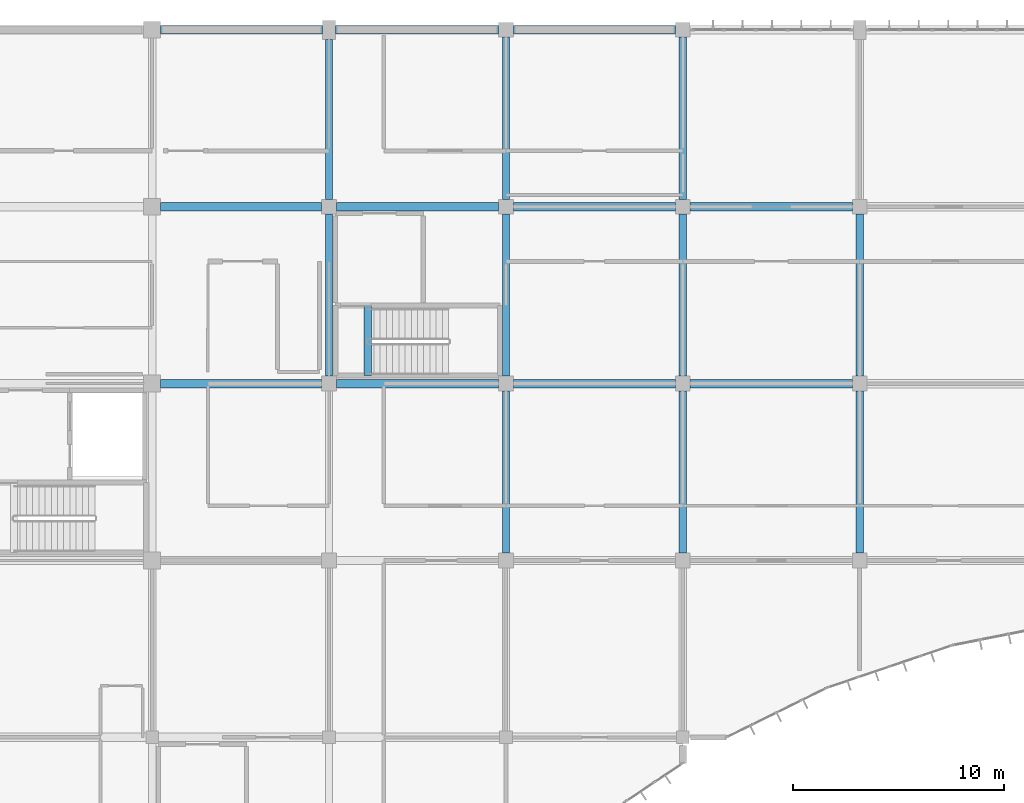
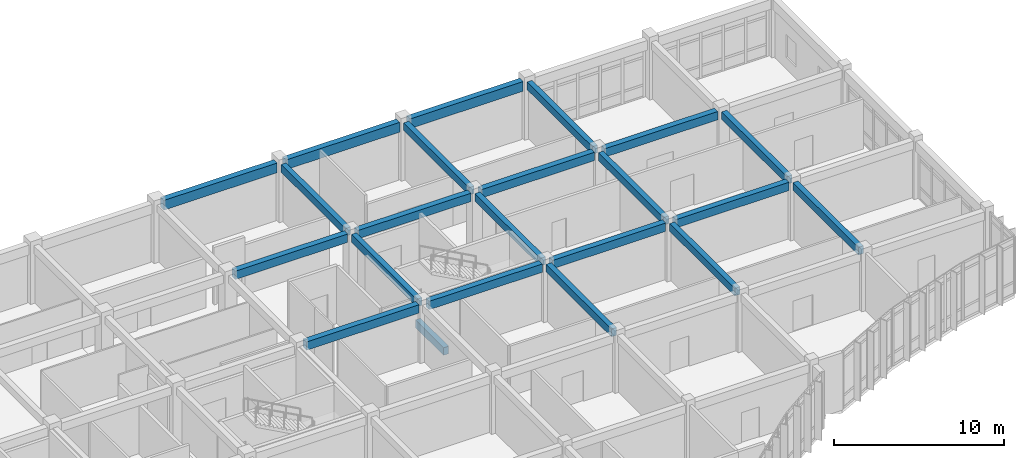
# One storey, part 67 of 144: 22 beams.
"""IFC4 building model written with IfcOpenShell, lengths in metres."""

from ifc_helpers import new_model, si_unit, direction, frame, origin, origin_2d, place, context, subcontext, project, spatial, rectangle, extrude, material, material_profile, profile_set, type_object, element, save


model = new_model("IFC4")

# Units and contexts
model_context = context("Model", 3, precision=1e-05, world=origin(), true_north=direction((0.0, 1.0)))
body_context = subcontext(model_context, "Body", "Model", "MODEL_VIEW")
ifc_project = project(units=[si_unit("LENGTHUNIT", "METRE"), si_unit("AREAUNIT", "SQUARE_METRE"), si_unit("VOLUMEUNIT", "CUBIC_METRE"), si_unit("PLANEANGLEUNIT", "RADIAN"), si_unit("MASSUNIT", "GRAM", prefix="KILO")], contexts=[model_context])

# Site, building, storey
site_placement = place(None, origin())
site = spatial("IfcSite", under=ifc_project, at=site_placement, CompositionType="ELEMENT")
building_placement = place(site_placement, origin())
building = spatial("IfcBuilding", under=site, at=building_placement, Name="Bramfleet General Hospital", CompositionType="ELEMENT")
storey_placement = place(building_placement, frame((0.0, 0.0, 4.800048828125)))
storey = spatial("IfcBuildingStorey", under=building, at=storey_placement, Name="L01", CompositionType="ELEMENT", Elevation=4.800048828125)

# Beams
ifc_material = material(Name="Concrete C35/45", Category="concrete")
ifc_material_profile_1 = material_profile(ifc_material, rectangle(XDim=0.35009765625, YDim=0.550048828125, at=origin_2d()), Name="RC BM 550x350")
ifc_profile_set_1 = profile_set([ifc_material_profile_1], Name="Concrete C35/45")
beam_type_1 = type_object("IfcBeamType", Name="BM-RC550", PredefinedType="BEAM", material=ifc_profile_set_1)
beam_1_placement = place(storey_placement, frame((134.39990234375, 101.14990234375, 3.875), z_axis=(0.0, 1.0, 0.0), x_axis=(-1.0, 0.0, 0.0)))
element("IfcBeam", 1, at=beam_1_placement, inside=storey, type_object=beam_type_1, Name="L01 Grid Beam Y 16-12", PredefinedType="BEAM", context=body_context, shape_type="SweptSolid", body=[
    extrude(rectangle(XDim=0.35009765625, YDim=0.550048828125, at=origin_2d()), origin(), (0.0, 0.0, 1.0), 7.7001953125),
])
beam_2_placement = place(storey_placement, frame((134.39990234375, 109.550048828125, 3.875), z_axis=(0.0, 1.0, 0.0), x_axis=(-1.0, 0.0, 0.0)))
element("IfcBeam", 2, at=beam_2_placement, inside=storey, type_object=beam_type_1, Name="L01 Grid Beam Y 16-13", PredefinedType="BEAM", context=body_context, shape_type="SweptSolid", body=[
    extrude(rectangle(XDim=0.35009765625, YDim=0.550048828125, at=origin_2d()), origin(), (0.0, 0.0, 1.0), 7.599853515625),
])
beam_3_placement = place(storey_placement, frame((142.800048828125, 92.75, 3.875), z_axis=(0.0, 1.0, 0.0), x_axis=(-1.0, 0.0, 0.0)))
element("IfcBeam", 3, at=beam_3_placement, inside=storey, type_object=beam_type_1, Name="L01 Grid Beam Y 17-11", PredefinedType="BEAM", context=body_context, shape_type="SweptSolid", body=[
    extrude(rectangle(XDim=0.35009765625, YDim=0.550048828125, at=origin_2d()), origin(), (0.0, 0.0, 1.0), 7.699951171875),
])
beam_4_placement = place(storey_placement, frame((142.800048828125, 101.14990234375, 3.875), z_axis=(0.0, 1.0, 0.0), x_axis=(-1.0, 0.0, 0.0)))
element("IfcBeam", 4, at=beam_4_placement, inside=storey, type_object=beam_type_1, Name="L01 Grid Beam Y 17-12", PredefinedType="BEAM", context=body_context, shape_type="SweptSolid", body=[
    extrude(rectangle(XDim=0.35009765625, YDim=0.550048828125, at=origin_2d()), origin(), (0.0, 0.0, 1.0), 7.7001953125),
])
for number, where, z_axis, x_axis, name in (
    (5, (142.800048828125, 109.550048828125, 3.875), (0.0, 1.0, 0.0), (-1.0, 0.0, 0.0), "L01 Grid Beam Y 17-13"),
    (6, (151.199951171875, 92.75, 3.875), (0.0, 1.0, 0.0), (-1.0, 0.0, 0.0), "L01 Grid Beam Y 18-11"),
):
    element("IfcBeam", number, at=place(storey_placement, frame(where, z_axis=z_axis, x_axis=x_axis)), inside=storey, type_object=beam_type_1, Name=name, PredefinedType="BEAM", context=body_context, shape_type="SweptSolid", body=[
        extrude(rectangle(XDim=0.35009765625, YDim=0.550048828125, at=origin_2d()), origin(), (0.0, 0.0, 1.0), 7.699951171875),
    ])
beam_5_placement = place(storey_placement, frame((151.199951171875, 101.14990234375, 3.875), z_axis=(0.0, 1.0, 0.0), x_axis=(-1.0, 0.0, 0.0)))
element("IfcBeam", 7, at=beam_5_placement, inside=storey, type_object=beam_type_1, Name="L01 Grid Beam Y 18-12", PredefinedType="BEAM", context=body_context, shape_type="SweptSolid", body=[
    extrude(rectangle(XDim=0.35009765625, YDim=0.550048828125, at=origin_2d()), origin(), (0.0, 0.0, 1.0), 7.7001953125),
])
for number, where, z_axis, x_axis, name in (
    (8, (151.199951171875, 109.550048828125, 3.875), (0.0, 1.0, 0.0), (-1.0, 0.0, 0.0), "L01 Grid Beam Y 18-13"),
    (9, (159.60009765625, 92.75, 3.875), (0.0, 1.0, 0.0), (-1.0, 0.0, 0.0), "L01 Grid Beam Y 19-11"),
):
    element("IfcBeam", number, at=place(storey_placement, frame(where, z_axis=z_axis, x_axis=x_axis)), inside=storey, type_object=beam_type_1, Name=name, PredefinedType="BEAM", context=body_context, shape_type="SweptSolid", body=[
        extrude(rectangle(XDim=0.35009765625, YDim=0.550048828125, at=origin_2d()), origin(), (0.0, 0.0, 1.0), 7.699951171875),
    ])
beam_6_placement = place(storey_placement, frame((159.60009765625, 101.14990234375, 3.875), z_axis=(0.0, 1.0, 0.0), x_axis=(-1.0, 0.0, 0.0)))
element("IfcBeam", 10, at=beam_6_placement, inside=storey, type_object=beam_type_1, Name="L01 Grid Beam Y 19-12", PredefinedType="BEAM", context=body_context, shape_type="SweptSolid", body=[
    extrude(rectangle(XDim=0.35009765625, YDim=0.550048828125, at=origin_2d()), origin(), (0.0, 0.0, 1.0), 7.7001953125),
])
beam_7_placement = place(storey_placement, frame((136.239990234375, 101.179931640625, -0.275146484375), z_axis=(0.0, 1.0, 0.0), x_axis=(-1.0, 0.0, 0.0)))
element("IfcBeam", 11, at=beam_7_placement, inside=storey, type_object=beam_type_1, Name="L01 C9 Stairwell Trimmer Beam", PredefinedType="BEAM", context=body_context, shape_type="SweptSolid", body=[
    extrude(rectangle(XDim=0.35009765625, YDim=0.550048828125, at=origin_2d()), origin(), (0.0, 0.0, 1.0), 3.320068359375),
])
ifc_material_profile_2 = material_profile(ifc_material, rectangle(XDim=0.39990234375, YDim=0.60009765625, at=origin_2d()), Name="RC BM 600x400")
ifc_profile_set_2 = profile_set([ifc_material_profile_2], Name="Concrete C35/45")
beam_type_2 = type_object("IfcBeamType", Name="BM-RC600", PredefinedType="BEAM", material=ifc_profile_set_2)
for number, where, z_axis, x_axis, name in (
    (12, (126.39990234375, 100.800048828125, 3.849853515625), (1.0, 0.0, 0.0), (0.0, 1.0, 0.0), "L01 Grid Beam X 15-12"),
    (13, (126.39990234375, 109.199951171875, 3.849853515625), (1.0, 0.0, 0.0), (0.0, 1.0, 0.0), "L01 Grid Beam X 15-13"),
):
    element("IfcBeam", number, at=place(storey_placement, frame(where, z_axis=z_axis, x_axis=x_axis)), inside=storey, type_object=beam_type_2, Name=name, PredefinedType="BEAM", context=body_context, shape_type="SweptSolid", body=[
        extrude(rectangle(XDim=0.39990234375, YDim=0.60009765625, at=origin_2d()), origin(), (0.0, 0.0, 1.0), 7.650146484375),
    ])
for number, where, z_axis, x_axis, name in (
    (14, (134.75, 100.800048828125, 3.849853515625), (1.0, 0.0, 0.0), (0.0, 1.0, 0.0), "L01 Grid Beam X 16-12"),
    (15, (134.75, 109.199951171875, 3.849853515625), (1.0, 0.0, 0.0), (0.0, 1.0, 0.0), "L01 Grid Beam X 16-13"),
):
    element("IfcBeam", number, at=place(storey_placement, frame(where, z_axis=z_axis, x_axis=x_axis)), inside=storey, type_object=beam_type_2, Name=name, PredefinedType="BEAM", context=body_context, shape_type="SweptSolid", body=[
        extrude(rectangle(XDim=0.39990234375, YDim=0.60009765625, at=origin_2d()), origin(), (0.0, 0.0, 1.0), 7.699951171875),
    ])
for number, where, z_axis, x_axis, name in (
    (16, (143.14990234375, 100.800048828125, 3.849853515625), (1.0, 0.0, 0.0), (0.0, 1.0, 0.0), "L01 Grid Beam X 17-12"),
    (17, (143.14990234375, 109.199951171875, 3.849853515625), (1.0, 0.0, 0.0), (0.0, 1.0, 0.0), "L01 Grid Beam X 17-13"),
):
    element("IfcBeam", number, at=place(storey_placement, frame(where, z_axis=z_axis, x_axis=x_axis)), inside=storey, type_object=beam_type_2, Name=name, PredefinedType="BEAM", context=body_context, shape_type="SweptSolid", body=[
        extrude(rectangle(XDim=0.39990234375, YDim=0.60009765625, at=origin_2d()), origin(), (0.0, 0.0, 1.0), 7.7001953125),
    ])
for number, where, z_axis, x_axis, name in (
    (18, (151.550048828125, 100.800048828125, 3.849853515625), (1.0, 0.0, 0.0), (0.0, 1.0, 0.0), "L01 Grid Beam X 18-12"),
    (19, (151.550048828125, 109.199951171875, 3.849853515625), (1.0, 0.0, 0.0), (0.0, 1.0, 0.0), "L01 Grid Beam X 18-13"),
):
    element("IfcBeam", number, at=place(storey_placement, frame(where, z_axis=z_axis, x_axis=x_axis)), inside=storey, type_object=beam_type_2, Name=name, PredefinedType="BEAM", context=body_context, shape_type="SweptSolid", body=[
        extrude(rectangle(XDim=0.39990234375, YDim=0.60009765625, at=origin_2d()), origin(), (0.0, 0.0, 1.0), 7.699951171875),
    ])
ifc_material_profile_3 = material_profile(ifc_material, rectangle(XDim=0.39990234375, YDim=0.699951171875, at=origin_2d()), Name="RC SP 700x400")
ifc_profile_set_3 = profile_set([ifc_material_profile_3], Name="Concrete C35/45")
beam_type_3 = type_object("IfcBeamType", Name="BM-SP700", PredefinedType="SPANDREL", material=ifc_profile_set_3)
beam_8_placement = place(storey_placement, frame((126.39990234375, 117.60009765625, 3.800048828125), z_axis=(1.0, 0.0, 0.0), x_axis=(0.0, 1.0, 0.0)))
element("IfcBeam", 20, at=beam_8_placement, inside=storey, type_object=beam_type_3, Name="L01 Grid Beam X 15-14", PredefinedType="SPANDREL", context=body_context, shape_type="SweptSolid", body=[
    extrude(rectangle(XDim=0.39990234375, YDim=0.699951171875, at=origin_2d()), origin(), (0.0, 0.0, 1.0), 7.7001953125),
])
beam_9_placement = place(storey_placement, frame((134.699951171875, 117.60009765625, 3.800048828125), z_axis=(1.0, 0.0, 0.0), x_axis=(0.0, 1.0, 0.0)))
element("IfcBeam", 21, at=beam_9_placement, inside=storey, type_object=beam_type_3, Name="L01 Grid Beam X 16-14", PredefinedType="SPANDREL", context=body_context, shape_type="SweptSolid", body=[
    extrude(rectangle(XDim=0.39990234375, YDim=0.699951171875, at=origin_2d()), origin(), (0.0, 0.0, 1.0), 7.75),
])
beam_10_placement = place(storey_placement, frame((143.14990234375, 117.60009765625, 3.800048828125), z_axis=(1.0, 0.0, 0.0), x_axis=(0.0, 1.0, 0.0)))
element("IfcBeam", 22, at=beam_10_placement, inside=storey, type_object=beam_type_3, Name="L01 Grid Beam X 17-14", PredefinedType="SPANDREL", context=body_context, shape_type="SweptSolid", body=[
    extrude(rectangle(XDim=0.39990234375, YDim=0.699951171875, at=origin_2d()), origin(), (0.0, 0.0, 1.0), 7.7001953125),
])

save(model, "model.ifc")
